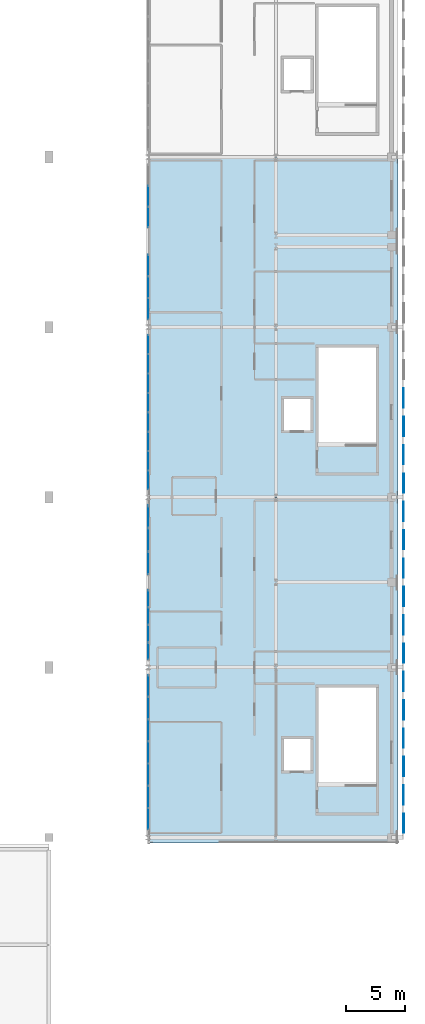
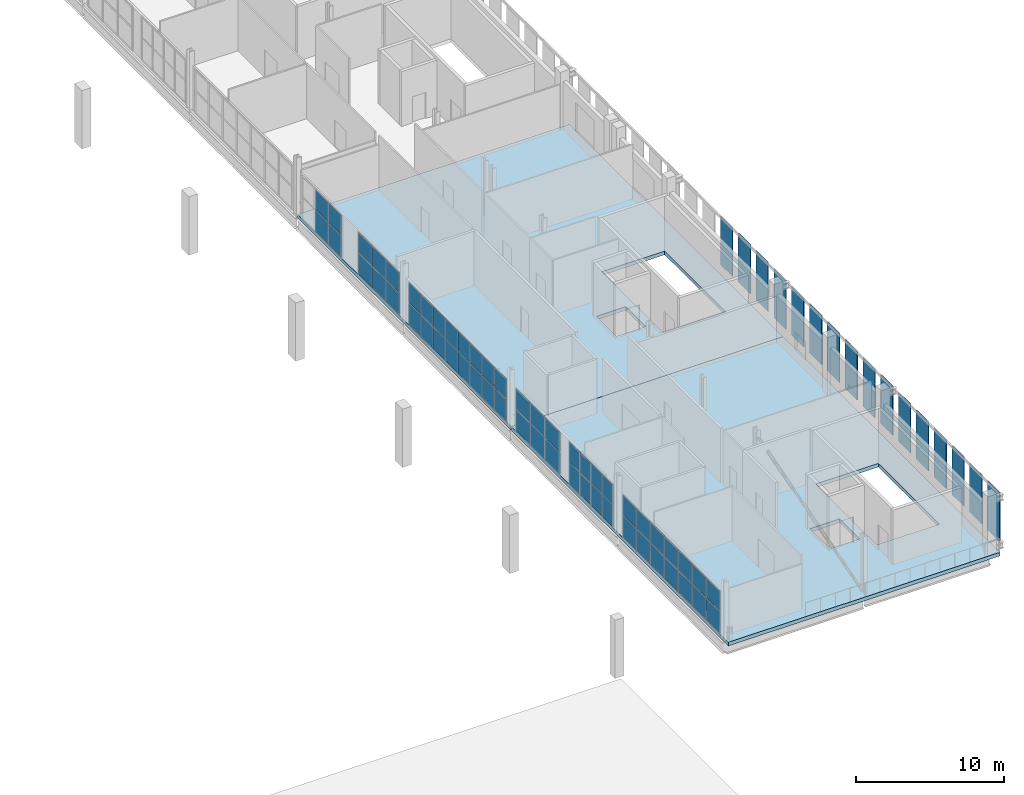
# One storey, part 28 of 51: 70 plates, 2 slabs, 6 elements without a shape of their own.
"""IFC4 building model written with IfcOpenShell, lengths in metres."""

from ifc_helpers import new_model, si_unit, direction, frame, origin, origin_2d, place, context, subcontext, project, spatial, polyline, rectangle, outline, extrude, material, layer, layer_set, type_object, element, aggregate, save


model = new_model("IFC4")

# Units and contexts
model_context = context("Model", 3, precision=1e-05, world=origin(), true_north=direction((0.0, 1.0)))
body_context = subcontext(model_context, "Body", "Model", "MODEL_VIEW")
ifc_project = project(units=[si_unit("LENGTHUNIT", "METRE"), si_unit("AREAUNIT", "SQUARE_METRE"), si_unit("VOLUMEUNIT", "CUBIC_METRE"), si_unit("PLANEANGLEUNIT", "RADIAN"), si_unit("MASSUNIT", "GRAM", prefix="KILO")], contexts=[model_context])

# Site, building, storey
site_placement = place(None, origin())
site = spatial("IfcSite", under=ifc_project, at=site_placement, CompositionType="ELEMENT")
building_placement = place(site_placement, origin())
building = spatial("IfcBuilding", under=site, at=building_placement, Name="Koshinbarg Plaza Stadium", CompositionType="ELEMENT")
storey_placement = place(building_placement, frame((0.0, 0.0, 24.60009765625)))
storey = spatial("IfcBuildingStorey", under=building, at=storey_placement, Name="L05", CompositionType="ELEMENT", Elevation=24.60009765625)

# Curtain wall, plates
ifc_material_1 = material(Name="Thermally broken anodised aluminium and low-E double glazing", Category="aluminium")
curtain_wall_type_1 = type_object("IfcCurtainWallType", Name="CW-SYS-15", PredefinedType="NOTDEFINED", material=ifc_material_1)
curtain_wall_1_placement = place(storey_placement, origin())
curtain_wall_1 = element("IfcCurtainWall", 1, at=curtain_wall_1_placement, inside=storey, type_object=curtain_wall_type_1, Name="L05 unitised curtain wall CW-L05-142", PredefinedType="NOTDEFINED")
ifc_material_2 = material(Name="Solar-control low-E double glazing unit", Category="glass")
ifc_layer_1 = layer(ifc_material_2, 0.028076171875)
ifc_layer_set_1 = layer_set([ifc_layer_1], Name="Solar-control low-E double glazing unit")
plate_type_1 = type_object("IfcPlateType", Name="CW-PNL-28", PredefinedType="CURTAIN_PANEL", material=ifc_layer_set_1)
plate_1_placement = place(storey_placement, frame((197.800048828125, 41.280029296875, 0.06005859375), z_axis=(0.0, 0.0, 1.0), x_axis=(0.0, 1.0, 0.0)))
plate_1 = element("IfcPlate", 2, at=plate_1_placement, type_object=plate_type_1, Name="CW15 panel 1.1", PredefinedType="CURTAIN_PANEL", context=body_context, shape_type="SweptSolid", body=[
    extrude(rectangle(XDim=1.39990234375, YDim=0.028076171875, at=origin_2d()), origin(), (0.0, 0.0, 1.0), 1.771484375),
])
plate_2_placement = place(storey_placement, frame((197.800048828125, 41.280029296875, 1.8916015625), z_axis=(0.0, 0.0, 1.0), x_axis=(0.0, 1.0, 0.0)))
plate_2 = element("IfcPlate", 3, at=plate_2_placement, type_object=plate_type_1, Name="CW15 panel 1.2", PredefinedType="CURTAIN_PANEL", context=body_context, shape_type="SweptSolid", body=[
    extrude(rectangle(XDim=1.39990234375, YDim=0.028076171875, at=origin_2d()), origin(), (0.0, 0.0, 1.0), 1.62841796875),
])
plate_3_placement = place(storey_placement, frame((197.800048828125, 42.7548828125, 0.06005859375), z_axis=(0.0, 0.0, 1.0), x_axis=(0.0, 1.0, 0.0)))
plate_3 = element("IfcPlate", 4, at=plate_3_placement, type_object=plate_type_1, Name="CW15 panel 2.1", PredefinedType="CURTAIN_PANEL", context=body_context, shape_type="SweptSolid", body=[
    extrude(rectangle(XDim=1.429931640625, YDim=0.028076171875, at=origin_2d()), origin(), (0.0, 0.0, 1.0), 1.771484375),
])
plate_4_placement = place(storey_placement, frame((197.800048828125, 42.7548828125, 1.8916015625), z_axis=(0.0, 0.0, 1.0), x_axis=(0.0, 1.0, 0.0)))
plate_4 = element("IfcPlate", 5, at=plate_4_placement, type_object=plate_type_1, Name="CW15 panel 2.2", PredefinedType="CURTAIN_PANEL", context=body_context, shape_type="SweptSolid", body=[
    extrude(rectangle(XDim=1.429931640625, YDim=0.028076171875, at=origin_2d()), origin(), (0.0, 0.0, 1.0), 1.62841796875),
])
plate_5_placement = place(storey_placement, frame((197.800048828125, 44.2451171875, 0.06005859375), z_axis=(0.0, 0.0, 1.0), x_axis=(0.0, 1.0, 0.0)))
plate_5 = element("IfcPlate", 6, at=plate_5_placement, type_object=plate_type_1, Name="CW15 panel 3.1", PredefinedType="CURTAIN_PANEL", context=body_context, shape_type="SweptSolid", body=[
    extrude(rectangle(XDim=1.429931640625, YDim=0.028076171875, at=origin_2d()), origin(), (0.0, 0.0, 1.0), 1.771484375),
])
plate_6_placement = place(storey_placement, frame((197.800048828125, 44.2451171875, 1.8916015625), z_axis=(0.0, 0.0, 1.0), x_axis=(0.0, 1.0, 0.0)))
plate_6 = element("IfcPlate", 7, at=plate_6_placement, type_object=plate_type_1, Name="CW15 panel 3.2", PredefinedType="CURTAIN_PANEL", context=body_context, shape_type="SweptSolid", body=[
    extrude(rectangle(XDim=1.429931640625, YDim=0.028076171875, at=origin_2d()), origin(), (0.0, 0.0, 1.0), 1.62841796875),
])
plate_7_placement = place(storey_placement, frame((197.800048828125, 45.719970703125, 0.06005859375), z_axis=(0.0, 0.0, 1.0), x_axis=(0.0, 1.0, 0.0)))
plate_7 = element("IfcPlate", 8, at=plate_7_placement, type_object=plate_type_1, Name="CW15 panel 4.1", PredefinedType="CURTAIN_PANEL", context=body_context, shape_type="SweptSolid", body=[
    extrude(rectangle(XDim=1.39990234375, YDim=0.028076171875, at=origin_2d()), origin(), (0.0, 0.0, 1.0), 1.771484375),
])
plate_8_placement = place(storey_placement, frame((197.800048828125, 45.719970703125, 1.8916015625), z_axis=(0.0, 0.0, 1.0), x_axis=(0.0, 1.0, 0.0)))
plate_8 = element("IfcPlate", 9, at=plate_8_placement, type_object=plate_type_1, Name="CW15 panel 4.2", PredefinedType="CURTAIN_PANEL", context=body_context, shape_type="SweptSolid", body=[
    extrude(rectangle(XDim=1.39990234375, YDim=0.028076171875, at=origin_2d()), origin(), (0.0, 0.0, 1.0), 1.62841796875),
])
aggregate(curtain_wall_1, [plate_1, plate_2, plate_3, plate_4, plate_5, plate_6, plate_7, plate_8])

curtain_wall_type_2 = type_object("IfcCurtainWallType", Name="CW-SYS-01", PredefinedType="NOTDEFINED", material=ifc_material_1)
curtain_wall_2_placement = place(storey_placement, origin())
curtain_wall_2 = element("IfcCurtainWall", 10, at=curtain_wall_2_placement, inside=storey, type_object=curtain_wall_type_2, Name="L05 unitised curtain wall CW-L05-144", PredefinedType="NOTDEFINED")
plate_9_placement = place(storey_placement, frame((197.800048828125, 55.757568359375, 0.06005859375), z_axis=(0.0, 0.0, 1.0), x_axis=(0.0, 1.0, 0.0)))
plate_9 = element("IfcPlate", 11, at=plate_9_placement, type_object=plate_type_1, Name="CW01 panel 1.1", PredefinedType="CURTAIN_PANEL", context=body_context, shape_type="SweptSolid", body=[
    extrude(rectangle(XDim=1.554931640625, YDim=0.028076171875, at=origin_2d()), origin(), (0.0, 0.0, 1.0), 1.771484375),
])
plate_10_placement = place(storey_placement, frame((197.800048828125, 55.757568359375, 1.8916015625), z_axis=(0.0, 0.0, 1.0), x_axis=(0.0, 1.0, 0.0)))
plate_10 = element("IfcPlate", 12, at=plate_10_placement, type_object=plate_type_1, Name="CW01 panel 1.2", PredefinedType="CURTAIN_PANEL", context=body_context, shape_type="SweptSolid", body=[
    extrude(rectangle(XDim=1.554931640625, YDim=0.028076171875, at=origin_2d()), origin(), (0.0, 0.0, 1.0), 1.62841796875),
])
plate_11_placement = place(storey_placement, frame((197.800048828125, 57.387451171875, 0.06005859375), z_axis=(0.0, 0.0, 1.0), x_axis=(0.0, 1.0, 0.0)))
plate_11 = element("IfcPlate", 13, at=plate_11_placement, type_object=plate_type_1, Name="CW01 panel 2.1", PredefinedType="CURTAIN_PANEL", context=body_context, shape_type="SweptSolid", body=[
    extrude(rectangle(XDim=1.5849609375, YDim=0.028076171875, at=origin_2d()), origin(), (0.0, 0.0, 1.0), 1.771484375),
])
plate_12_placement = place(storey_placement, frame((197.800048828125, 57.387451171875, 1.8916015625), z_axis=(0.0, 0.0, 1.0), x_axis=(0.0, 1.0, 0.0)))
plate_12 = element("IfcPlate", 14, at=plate_12_placement, type_object=plate_type_1, Name="CW01 panel 2.2", PredefinedType="CURTAIN_PANEL", context=body_context, shape_type="SweptSolid", body=[
    extrude(rectangle(XDim=1.5849609375, YDim=0.028076171875, at=origin_2d()), origin(), (0.0, 0.0, 1.0), 1.62841796875),
])
plate_13_placement = place(storey_placement, frame((197.800048828125, 59.032470703125, 0.06005859375), z_axis=(0.0, 0.0, 1.0), x_axis=(0.0, 1.0, 0.0)))
plate_13 = element("IfcPlate", 15, at=plate_13_placement, type_object=plate_type_1, Name="CW01 panel 3.1", PredefinedType="CURTAIN_PANEL", context=body_context, shape_type="SweptSolid", body=[
    extrude(rectangle(XDim=1.5849609375, YDim=0.028076171875, at=origin_2d()), origin(), (0.0, 0.0, 1.0), 1.771484375),
])
plate_14_placement = place(storey_placement, frame((197.800048828125, 59.032470703125, 1.8916015625), z_axis=(0.0, 0.0, 1.0), x_axis=(0.0, 1.0, 0.0)))
plate_14 = element("IfcPlate", 16, at=plate_14_placement, type_object=plate_type_1, Name="CW01 panel 3.2", PredefinedType="CURTAIN_PANEL", context=body_context, shape_type="SweptSolid", body=[
    extrude(rectangle(XDim=1.5849609375, YDim=0.028076171875, at=origin_2d()), origin(), (0.0, 0.0, 1.0), 1.62841796875),
])
plate_15_placement = place(storey_placement, frame((197.800048828125, 60.677490234375, 0.06005859375), z_axis=(0.0, 0.0, 1.0), x_axis=(0.0, 1.0, 0.0)))
plate_15 = element("IfcPlate", 17, at=plate_15_placement, type_object=plate_type_1, Name="CW01 panel 4.1", PredefinedType="CURTAIN_PANEL", context=body_context, shape_type="SweptSolid", body=[
    extrude(rectangle(XDim=1.5849609375, YDim=0.028076171875, at=origin_2d()), origin(), (0.0, 0.0, 1.0), 1.771484375),
])
plate_16_placement = place(storey_placement, frame((197.800048828125, 60.677490234375, 1.8916015625), z_axis=(0.0, 0.0, 1.0), x_axis=(0.0, 1.0, 0.0)))
plate_16 = element("IfcPlate", 18, at=plate_16_placement, type_object=plate_type_1, Name="CW01 panel 4.2", PredefinedType="CURTAIN_PANEL", context=body_context, shape_type="SweptSolid", body=[
    extrude(rectangle(XDim=1.5849609375, YDim=0.028076171875, at=origin_2d()), origin(), (0.0, 0.0, 1.0), 1.62841796875),
])
plate_17_placement = place(storey_placement, frame((197.800048828125, 62.322509765625, 0.06005859375), z_axis=(0.0, 0.0, 1.0), x_axis=(0.0, 1.0, 0.0)))
plate_17 = element("IfcPlate", 19, at=plate_17_placement, type_object=plate_type_1, Name="CW01 panel 5.1", PredefinedType="CURTAIN_PANEL", context=body_context, shape_type="SweptSolid", body=[
    extrude(rectangle(XDim=1.5849609375, YDim=0.028076171875, at=origin_2d()), origin(), (0.0, 0.0, 1.0), 1.771484375),
])
plate_18_placement = place(storey_placement, frame((197.800048828125, 62.322509765625, 1.8916015625), z_axis=(0.0, 0.0, 1.0), x_axis=(0.0, 1.0, 0.0)))
plate_18 = element("IfcPlate", 20, at=plate_18_placement, type_object=plate_type_1, Name="CW01 panel 5.2", PredefinedType="CURTAIN_PANEL", context=body_context, shape_type="SweptSolid", body=[
    extrude(rectangle(XDim=1.5849609375, YDim=0.028076171875, at=origin_2d()), origin(), (0.0, 0.0, 1.0), 1.62841796875),
])
plate_19_placement = place(storey_placement, frame((197.800048828125, 63.967529296875, 0.06005859375), z_axis=(0.0, 0.0, 1.0), x_axis=(0.0, 1.0, 0.0)))
plate_19 = element("IfcPlate", 21, at=plate_19_placement, type_object=plate_type_1, Name="CW01 panel 6.1", PredefinedType="CURTAIN_PANEL", context=body_context, shape_type="SweptSolid", body=[
    extrude(rectangle(XDim=1.5849609375, YDim=0.028076171875, at=origin_2d()), origin(), (0.0, 0.0, 1.0), 1.771484375),
])
plate_20_placement = place(storey_placement, frame((197.800048828125, 63.967529296875, 1.8916015625), z_axis=(0.0, 0.0, 1.0), x_axis=(0.0, 1.0, 0.0)))
plate_20 = element("IfcPlate", 22, at=plate_20_placement, type_object=plate_type_1, Name="CW01 panel 6.2", PredefinedType="CURTAIN_PANEL", context=body_context, shape_type="SweptSolid", body=[
    extrude(rectangle(XDim=1.5849609375, YDim=0.028076171875, at=origin_2d()), origin(), (0.0, 0.0, 1.0), 1.62841796875),
])
plate_21_placement = place(storey_placement, frame((197.800048828125, 65.612548828125, 0.06005859375), z_axis=(0.0, 0.0, 1.0), x_axis=(0.0, 1.0, 0.0)))
plate_21 = element("IfcPlate", 23, at=plate_21_placement, type_object=plate_type_1, Name="CW01 panel 7.1", PredefinedType="CURTAIN_PANEL", context=body_context, shape_type="SweptSolid", body=[
    extrude(rectangle(XDim=1.5849609375, YDim=0.028076171875, at=origin_2d()), origin(), (0.0, 0.0, 1.0), 1.771484375),
])
plate_22_placement = place(storey_placement, frame((197.800048828125, 65.612548828125, 1.8916015625), z_axis=(0.0, 0.0, 1.0), x_axis=(0.0, 1.0, 0.0)))
plate_22 = element("IfcPlate", 24, at=plate_22_placement, type_object=plate_type_1, Name="CW01 panel 7.2", PredefinedType="CURTAIN_PANEL", context=body_context, shape_type="SweptSolid", body=[
    extrude(rectangle(XDim=1.5849609375, YDim=0.028076171875, at=origin_2d()), origin(), (0.0, 0.0, 1.0), 1.62841796875),
])
plate_23_placement = place(storey_placement, frame((197.800048828125, 67.242431640625, 0.06005859375), z_axis=(0.0, 0.0, 1.0), x_axis=(0.0, 1.0, 0.0)))
plate_23 = element("IfcPlate", 25, at=plate_23_placement, type_object=plate_type_1, Name="CW01 panel 8.1", PredefinedType="CURTAIN_PANEL", context=body_context, shape_type="SweptSolid", body=[
    extrude(rectangle(XDim=1.554931640625, YDim=0.028076171875, at=origin_2d()), origin(), (0.0, 0.0, 1.0), 1.771484375),
])
plate_24_placement = place(storey_placement, frame((197.800048828125, 67.242431640625, 1.8916015625), z_axis=(0.0, 0.0, 1.0), x_axis=(0.0, 1.0, 0.0)))
plate_24 = element("IfcPlate", 26, at=plate_24_placement, type_object=plate_type_1, Name="CW01 panel 8.2", PredefinedType="CURTAIN_PANEL", context=body_context, shape_type="SweptSolid", body=[
    extrude(rectangle(XDim=1.554931640625, YDim=0.028076171875, at=origin_2d()), origin(), (0.0, 0.0, 1.0), 1.62841796875),
])
aggregate(curtain_wall_2, [plate_9, plate_10, plate_11, plate_12, plate_13, plate_14, plate_15, plate_16, plate_17, plate_18, plate_19, plate_20, plate_21, plate_22, plate_23, plate_24])

curtain_wall_type_3 = type_object("IfcCurtainWallType", Name="CW-SYS-03", PredefinedType="NOTDEFINED", material=ifc_material_1)
curtain_wall_3_placement = place(storey_placement, origin())
curtain_wall_3 = element("IfcCurtainWall", 27, at=curtain_wall_3_placement, inside=storey, type_object=curtain_wall_type_3, Name="L05 unitised curtain wall CW-L05-146", PredefinedType="NOTDEFINED")
plate_25_placement = place(storey_placement, frame((197.800048828125, 78.0283203125, 0.06005859375), z_axis=(0.0, 0.0, 1.0), x_axis=(0.0, 1.0, 0.0)))
plate_25 = element("IfcPlate", 28, at=plate_25_placement, type_object=plate_type_1, Name="CW03 panel 1.1", PredefinedType="CURTAIN_PANEL", context=body_context, shape_type="SweptSolid", body=[
    extrude(rectangle(XDim=1.69677734375, YDim=0.028076171875, at=origin_2d()), origin(), (0.0, 0.0, 1.0), 1.771484375),
])
plate_26_placement = place(storey_placement, frame((197.800048828125, 78.0283203125, 1.8916015625), z_axis=(0.0, 0.0, 1.0), x_axis=(0.0, 1.0, 0.0)))
plate_26 = element("IfcPlate", 29, at=plate_26_placement, type_object=plate_type_1, Name="CW03 panel 1.2", PredefinedType="CURTAIN_PANEL", context=body_context, shape_type="SweptSolid", body=[
    extrude(rectangle(XDim=1.69677734375, YDim=0.028076171875, at=origin_2d()), origin(), (0.0, 0.0, 1.0), 1.62841796875),
])
plate_27_placement = place(storey_placement, frame((197.800048828125, 79.800048828125, 0.06005859375), z_axis=(0.0, 0.0, 1.0), x_axis=(0.0, 1.0, 0.0)))
plate_27 = element("IfcPlate", 30, at=plate_27_placement, type_object=plate_type_1, Name="CW03 panel 2.1", PredefinedType="CURTAIN_PANEL", context=body_context, shape_type="SweptSolid", body=[
    extrude(rectangle(XDim=1.7265625, YDim=0.028076171875, at=origin_2d()), origin(), (0.0, 0.0, 1.0), 1.771484375),
])
plate_28_placement = place(storey_placement, frame((197.800048828125, 79.800048828125, 1.8916015625), z_axis=(0.0, 0.0, 1.0), x_axis=(0.0, 1.0, 0.0)))
plate_28 = element("IfcPlate", 31, at=plate_28_placement, type_object=plate_type_1, Name="CW03 panel 2.2", PredefinedType="CURTAIN_PANEL", context=body_context, shape_type="SweptSolid", body=[
    extrude(rectangle(XDim=1.7265625, YDim=0.028076171875, at=origin_2d()), origin(), (0.0, 0.0, 1.0), 1.62841796875),
])
aggregate(curtain_wall_3, [plate_25, plate_26, plate_27, plate_28])

curtain_wall_type_4 = type_object("IfcCurtainWallType", Name="CW-SYS-14", PredefinedType="NOTDEFINED", material=ifc_material_1)
curtain_wall_4_placement = place(storey_placement, origin())
curtain_wall_4 = element("IfcCurtainWall", 32, at=curtain_wall_4_placement, inside=storey, type_object=curtain_wall_type_4, Name="L05 unitised curtain wall CW-L05-141", PredefinedType="NOTDEFINED")
ifc_material_3 = material(Name="Acoustic solar-control double glazing unit", Category="glass")
ifc_layer_2 = layer(ifc_material_3, 0.031982421875)
ifc_layer_set_2 = layer_set([ifc_layer_2], Name="Acoustic solar-control double glazing unit")
plate_type_2 = type_object("IfcPlateType", Name="CW-PNL-32", PredefinedType="CURTAIN_PANEL", material=ifc_layer_set_2)
plate_29_placement = place(storey_placement, frame((197.800048828125, 27.074951171875, 0.06005859375), z_axis=(0.0, 0.0, 1.0), x_axis=(0.0, 1.0, 0.0)))
plate_29 = element("IfcPlate", 33, at=plate_29_placement, type_object=plate_type_2, Name="CW14 panel 1.1", PredefinedType="CURTAIN_PANEL", context=body_context, shape_type="SweptSolid", body=[
    extrude(rectangle(XDim=1.7900390625, YDim=0.031982421875, at=origin_2d()), origin(), (0.0, 0.0, 1.0), 1.771484375),
])
plate_30_placement = place(storey_placement, frame((197.800048828125, 27.074951171875, 1.8916015625), z_axis=(0.0, 0.0, 1.0), x_axis=(0.0, 1.0, 0.0)))
plate_30 = element("IfcPlate", 34, at=plate_30_placement, type_object=plate_type_2, Name="CW14 panel 1.2", PredefinedType="CURTAIN_PANEL", context=body_context, shape_type="SweptSolid", body=[
    extrude(rectangle(XDim=1.7900390625, YDim=0.031982421875, at=origin_2d()), origin(), (0.0, 0.0, 1.0), 1.62841796875),
])
plate_31_placement = place(storey_placement, frame((197.800048828125, 28.93994140625, 0.06005859375), z_axis=(0.0, 0.0, 1.0), x_axis=(0.0, 1.0, 0.0)))
plate_31 = element("IfcPlate", 35, at=plate_31_placement, type_object=plate_type_2, Name="CW14 panel 2.1", PredefinedType="CURTAIN_PANEL", context=body_context, shape_type="SweptSolid", body=[
    extrude(rectangle(XDim=1.820068359375, YDim=0.031982421875, at=origin_2d()), origin(), (0.0, 0.0, 1.0), 1.771484375),
])
plate_32_placement = place(storey_placement, frame((197.800048828125, 28.93994140625, 1.8916015625), z_axis=(0.0, 0.0, 1.0), x_axis=(0.0, 1.0, 0.0)))
plate_32 = element("IfcPlate", 36, at=plate_32_placement, type_object=plate_type_2, Name="CW14 panel 2.2", PredefinedType="CURTAIN_PANEL", context=body_context, shape_type="SweptSolid", body=[
    extrude(rectangle(XDim=1.820068359375, YDim=0.031982421875, at=origin_2d()), origin(), (0.0, 0.0, 1.0), 1.62841796875),
])
plate_33_placement = place(storey_placement, frame((197.800048828125, 30.820068359375, 0.06005859375), z_axis=(0.0, 0.0, 1.0), x_axis=(0.0, 1.0, 0.0)))
plate_33 = element("IfcPlate", 37, at=plate_33_placement, type_object=plate_type_2, Name="CW14 panel 3.1", PredefinedType="CURTAIN_PANEL", context=body_context, shape_type="SweptSolid", body=[
    extrude(rectangle(XDim=1.820068359375, YDim=0.031982421875, at=origin_2d()), origin(), (0.0, 0.0, 1.0), 1.771484375),
])
plate_34_placement = place(storey_placement, frame((197.800048828125, 30.820068359375, 1.8916015625), z_axis=(0.0, 0.0, 1.0), x_axis=(0.0, 1.0, 0.0)))
plate_34 = element("IfcPlate", 38, at=plate_34_placement, type_object=plate_type_2, Name="CW14 panel 3.2", PredefinedType="CURTAIN_PANEL", context=body_context, shape_type="SweptSolid", body=[
    extrude(rectangle(XDim=1.820068359375, YDim=0.031982421875, at=origin_2d()), origin(), (0.0, 0.0, 1.0), 1.62841796875),
])
plate_35_placement = place(storey_placement, frame((197.800048828125, 32.699951171875, 0.06005859375), z_axis=(0.0, 0.0, 1.0), x_axis=(0.0, 1.0, 0.0)))
plate_35 = element("IfcPlate", 39, at=plate_35_placement, type_object=plate_type_2, Name="CW14 panel 4.1", PredefinedType="CURTAIN_PANEL", context=body_context, shape_type="SweptSolid", body=[
    extrude(rectangle(XDim=1.820068359375, YDim=0.031982421875, at=origin_2d()), origin(), (0.0, 0.0, 1.0), 1.771484375),
])
plate_36_placement = place(storey_placement, frame((197.800048828125, 32.699951171875, 1.8916015625), z_axis=(0.0, 0.0, 1.0), x_axis=(0.0, 1.0, 0.0)))
plate_36 = element("IfcPlate", 40, at=plate_36_placement, type_object=plate_type_2, Name="CW14 panel 4.2", PredefinedType="CURTAIN_PANEL", context=body_context, shape_type="SweptSolid", body=[
    extrude(rectangle(XDim=1.820068359375, YDim=0.031982421875, at=origin_2d()), origin(), (0.0, 0.0, 1.0), 1.62841796875),
])
plate_37_placement = place(storey_placement, frame((197.800048828125, 34.580078125, 0.06005859375), z_axis=(0.0, 0.0, 1.0), x_axis=(0.0, 1.0, 0.0)))
plate_37 = element("IfcPlate", 41, at=plate_37_placement, type_object=plate_type_2, Name="CW14 panel 5.1", PredefinedType="CURTAIN_PANEL", context=body_context, shape_type="SweptSolid", body=[
    extrude(rectangle(XDim=1.820068359375, YDim=0.031982421875, at=origin_2d()), origin(), (0.0, 0.0, 1.0), 1.771484375),
])
plate_38_placement = place(storey_placement, frame((197.800048828125, 34.580078125, 1.8916015625), z_axis=(0.0, 0.0, 1.0), x_axis=(0.0, 1.0, 0.0)))
plate_38 = element("IfcPlate", 42, at=plate_38_placement, type_object=plate_type_2, Name="CW14 panel 5.2", PredefinedType="CURTAIN_PANEL", context=body_context, shape_type="SweptSolid", body=[
    extrude(rectangle(XDim=1.820068359375, YDim=0.031982421875, at=origin_2d()), origin(), (0.0, 0.0, 1.0), 1.62841796875),
])
plate_39_placement = place(storey_placement, frame((197.800048828125, 36.4599609375, 0.06005859375), z_axis=(0.0, 0.0, 1.0), x_axis=(0.0, 1.0, 0.0)))
plate_39 = element("IfcPlate", 43, at=plate_39_placement, type_object=plate_type_2, Name="CW14 panel 6.1", PredefinedType="CURTAIN_PANEL", context=body_context, shape_type="SweptSolid", body=[
    extrude(rectangle(XDim=1.820068359375, YDim=0.031982421875, at=origin_2d()), origin(), (0.0, 0.0, 1.0), 1.771484375),
])
plate_40_placement = place(storey_placement, frame((197.800048828125, 36.4599609375, 1.8916015625), z_axis=(0.0, 0.0, 1.0), x_axis=(0.0, 1.0, 0.0)))
plate_40 = element("IfcPlate", 44, at=plate_40_placement, type_object=plate_type_2, Name="CW14 panel 6.2", PredefinedType="CURTAIN_PANEL", context=body_context, shape_type="SweptSolid", body=[
    extrude(rectangle(XDim=1.820068359375, YDim=0.031982421875, at=origin_2d()), origin(), (0.0, 0.0, 1.0), 1.62841796875),
])
plate_41_placement = place(storey_placement, frame((197.800048828125, 38.324951171875, 0.06005859375), z_axis=(0.0, 0.0, 1.0), x_axis=(0.0, 1.0, 0.0)))
plate_41 = element("IfcPlate", 45, at=plate_41_placement, type_object=plate_type_2, Name="CW14 panel 7.1", PredefinedType="CURTAIN_PANEL", context=body_context, shape_type="SweptSolid", body=[
    extrude(rectangle(XDim=1.7900390625, YDim=0.031982421875, at=origin_2d()), origin(), (0.0, 0.0, 1.0), 1.771484375),
])
plate_42_placement = place(storey_placement, frame((197.800048828125, 38.324951171875, 1.8916015625), z_axis=(0.0, 0.0, 1.0), x_axis=(0.0, 1.0, 0.0)))
plate_42 = element("IfcPlate", 46, at=plate_42_placement, type_object=plate_type_2, Name="CW14 panel 7.2", PredefinedType="CURTAIN_PANEL", context=body_context, shape_type="SweptSolid", body=[
    extrude(rectangle(XDim=1.7900390625, YDim=0.031982421875, at=origin_2d()), origin(), (0.0, 0.0, 1.0), 1.62841796875),
])
aggregate(curtain_wall_4, [plate_29, plate_30, plate_31, plate_32, plate_33, plate_34, plate_35, plate_36, plate_37, plate_38, plate_39, plate_40, plate_41, plate_42])

curtain_wall_type_5 = type_object("IfcCurtainWallType", Name="CW-SYS-16", PredefinedType="NOTDEFINED", material=ifc_material_1)
curtain_wall_5_placement = place(storey_placement, origin())
curtain_wall_5 = element("IfcCurtainWall", 47, at=curtain_wall_5_placement, inside=storey, type_object=curtain_wall_type_5, Name="L05 unitised curtain wall CW-L05-143", PredefinedType="NOTDEFINED")
plate_43_placement = place(storey_placement, frame((197.800048828125, 48.728271484375, 0.06005859375), z_axis=(0.0, 0.0, 1.0), x_axis=(0.0, 1.0, 0.0)))
plate_43 = element("IfcPlate", 48, at=plate_43_placement, type_object=plate_type_2, Name="CW16 panel 1.1", PredefinedType="CURTAIN_PANEL", context=body_context, shape_type="SweptSolid", body=[
    extrude(rectangle(XDim=1.896728515625, YDim=0.031982421875, at=origin_2d()), origin(), (0.0, 0.0, 1.0), 1.771484375),
])
plate_44_placement = place(storey_placement, frame((197.800048828125, 48.728271484375, 1.8916015625), z_axis=(0.0, 0.0, 1.0), x_axis=(0.0, 1.0, 0.0)))
plate_44 = element("IfcPlate", 49, at=plate_44_placement, type_object=plate_type_2, Name="CW16 panel 1.2", PredefinedType="CURTAIN_PANEL", context=body_context, shape_type="SweptSolid", body=[
    extrude(rectangle(XDim=1.896728515625, YDim=0.031982421875, at=origin_2d()), origin(), (0.0, 0.0, 1.0), 1.62841796875),
])
plate_45_placement = place(storey_placement, frame((197.800048828125, 50.699951171875, 0.06005859375), z_axis=(0.0, 0.0, 1.0), x_axis=(0.0, 1.0, 0.0)))
plate_45 = element("IfcPlate", 50, at=plate_45_placement, type_object=plate_type_2, Name="CW16 panel 2.1", PredefinedType="CURTAIN_PANEL", context=body_context, shape_type="SweptSolid", body=[
    extrude(rectangle(XDim=1.9267578125, YDim=0.031982421875, at=origin_2d()), origin(), (0.0, 0.0, 1.0), 1.771484375),
])
plate_46_placement = place(storey_placement, frame((197.800048828125, 50.699951171875, 1.8916015625), z_axis=(0.0, 0.0, 1.0), x_axis=(0.0, 1.0, 0.0)))
plate_46 = element("IfcPlate", 51, at=plate_46_placement, type_object=plate_type_2, Name="CW16 panel 2.2", PredefinedType="CURTAIN_PANEL", context=body_context, shape_type="SweptSolid", body=[
    extrude(rectangle(XDim=1.9267578125, YDim=0.031982421875, at=origin_2d()), origin(), (0.0, 0.0, 1.0), 1.62841796875),
])
plate_47_placement = place(storey_placement, frame((197.800048828125, 52.671630859375, 0.06005859375), z_axis=(0.0, 0.0, 1.0), x_axis=(0.0, 1.0, 0.0)))
plate_47 = element("IfcPlate", 52, at=plate_47_placement, type_object=plate_type_2, Name="CW16 panel 3.1", PredefinedType="CURTAIN_PANEL", context=body_context, shape_type="SweptSolid", body=[
    extrude(rectangle(XDim=1.896728515625, YDim=0.031982421875, at=origin_2d()), origin(), (0.0, 0.0, 1.0), 1.771484375),
])
plate_48_placement = place(storey_placement, frame((197.800048828125, 52.671630859375, 1.8916015625), z_axis=(0.0, 0.0, 1.0), x_axis=(0.0, 1.0, 0.0)))
plate_48 = element("IfcPlate", 53, at=plate_48_placement, type_object=plate_type_2, Name="CW16 panel 3.2", PredefinedType="CURTAIN_PANEL", context=body_context, shape_type="SweptSolid", body=[
    extrude(rectangle(XDim=1.896728515625, YDim=0.031982421875, at=origin_2d()), origin(), (0.0, 0.0, 1.0), 1.62841796875),
])
aggregate(curtain_wall_5, [plate_43, plate_44, plate_45, plate_46, plate_47, plate_48])

curtain_wall_type_6 = type_object("IfcCurtainWallType", Name="CW-SYS-02", PredefinedType="NOTDEFINED", material=ifc_material_1)
curtain_wall_6_placement = place(storey_placement, origin())
curtain_wall_6 = element("IfcCurtainWall", 54, at=curtain_wall_6_placement, inside=storey, type_object=curtain_wall_type_6, Name="L05 unitised curtain wall CW-L05-145", PredefinedType="NOTDEFINED")
plate_49_placement = place(storey_placement, frame((197.800048828125, 70.26171875, 0.06005859375), z_axis=(0.0, 0.0, 1.0), x_axis=(0.0, 1.0, 0.0)))
plate_49 = element("IfcPlate", 55, at=plate_49_placement, type_object=plate_type_2, Name="CW02 panel 1.1", PredefinedType="CURTAIN_PANEL", context=body_context, shape_type="SweptSolid", body=[
    extrude(rectangle(XDim=1.763427734375, YDim=0.031982421875, at=origin_2d()), origin(), (0.0, 0.0, 1.0), 1.771484375),
])
plate_50_placement = place(storey_placement, frame((197.800048828125, 70.26171875, 1.8916015625), z_axis=(0.0, 0.0, 1.0), x_axis=(0.0, 1.0, 0.0)))
plate_50 = element("IfcPlate", 56, at=plate_50_placement, type_object=plate_type_2, Name="CW02 panel 1.2", PredefinedType="CURTAIN_PANEL", context=body_context, shape_type="SweptSolid", body=[
    extrude(rectangle(XDim=1.763427734375, YDim=0.031982421875, at=origin_2d()), origin(), (0.0, 0.0, 1.0), 1.62841796875),
])
plate_51_placement = place(storey_placement, frame((197.800048828125, 72.10009765625, 0.06005859375), z_axis=(0.0, 0.0, 1.0), x_axis=(0.0, 1.0, 0.0)))
plate_51 = element("IfcPlate", 57, at=plate_51_placement, type_object=plate_type_2, Name="CW02 panel 2.1", PredefinedType="CURTAIN_PANEL", context=body_context, shape_type="SweptSolid", body=[
    extrude(rectangle(XDim=1.793212890625, YDim=0.031982421875, at=origin_2d()), origin(), (0.0, 0.0, 1.0), 1.771484375),
])
plate_52_placement = place(storey_placement, frame((197.800048828125, 72.10009765625, 1.8916015625), z_axis=(0.0, 0.0, 1.0), x_axis=(0.0, 1.0, 0.0)))
plate_52 = element("IfcPlate", 58, at=plate_52_placement, type_object=plate_type_2, Name="CW02 panel 2.2", PredefinedType="CURTAIN_PANEL", context=body_context, shape_type="SweptSolid", body=[
    extrude(rectangle(XDim=1.793212890625, YDim=0.031982421875, at=origin_2d()), origin(), (0.0, 0.0, 1.0), 1.62841796875),
])
plate_53_placement = place(storey_placement, frame((197.800048828125, 73.938232421875, 0.06005859375), z_axis=(0.0, 0.0, 1.0), x_axis=(0.0, 1.0, 0.0)))
plate_53 = element("IfcPlate", 59, at=plate_53_placement, type_object=plate_type_2, Name="CW02 panel 3.1", PredefinedType="CURTAIN_PANEL", context=body_context, shape_type="SweptSolid", body=[
    extrude(rectangle(XDim=1.763427734375, YDim=0.031982421875, at=origin_2d()), origin(), (0.0, 0.0, 1.0), 1.771484375),
])
plate_54_placement = place(storey_placement, frame((197.800048828125, 73.938232421875, 1.8916015625), z_axis=(0.0, 0.0, 1.0), x_axis=(0.0, 1.0, 0.0)))
plate_54 = element("IfcPlate", 60, at=plate_54_placement, type_object=plate_type_2, Name="CW02 panel 3.2", PredefinedType="CURTAIN_PANEL", context=body_context, shape_type="SweptSolid", body=[
    extrude(rectangle(XDim=1.763427734375, YDim=0.031982421875, at=origin_2d()), origin(), (0.0, 0.0, 1.0), 1.62841796875),
])
aggregate(curtain_wall_6, [plate_49, plate_50, plate_51, plate_52, plate_53, plate_54])

# Plates
ifc_material_4 = material(Name="Off-white mineral-coated perforated aluminium screen panel", Category="aluminium")
ifc_layer_3 = layer(ifc_material_4, 0.050048828125)
ifc_layer_set_3 = layer_set([ifc_layer_3], Name="Off-white mineral-coated perforated aluminium screen panel")
plate_type_3 = type_object("IfcPlateType", Name="PLT-SCR-50", PredefinedType="USERDEFINED", material=ifc_layer_set_3)
for number, where, z_axis, x_axis, name in (
    (61, (219.419921875, 29.10009765625, 0.19970703125), (0.0, 0.0, 1.0), (1.0, 0.0, 0.0), "L05 off-white leaf-pierced outer screen panel 254"),
    (62, (219.419921875, 33.89990234375, 0.19970703125), (0.0, 0.0, 1.0), (1.0, 0.0, 0.0), "L05 off-white leaf-pierced outer screen panel 256"),
    (63, (219.419921875, 38.699951171875, 0.19970703125), (0.0, 0.0, 1.0), (1.0, 0.0, 0.0), "L05 off-white leaf-pierced outer screen panel 258"),
    (64, (219.419921875, 43.5, 0.19970703125), (0.0, 0.0, 1.0), (1.0, 0.0, 0.0), "L05 off-white leaf-pierced outer screen panel 260"),
    (65, (219.419921875, 48.300048828125, 0.19970703125), (0.0, 0.0, 1.0), (1.0, 0.0, 0.0), "L05 off-white leaf-pierced outer screen panel 262"),
    (66, (219.419921875, 53.10009765625, 0.19970703125), (0.0, 0.0, 1.0), (1.0, 0.0, 0.0), "L05 off-white leaf-pierced outer screen panel 264"),
    (67, (219.419921875, 57.89990234375, 0.19970703125), (0.0, 0.0, 1.0), (1.0, 0.0, 0.0), "L05 off-white leaf-pierced outer screen panel 266"),
    (68, (219.419921875, 62.699951171875, 0.19970703125), (0.0, 0.0, 1.0), (1.0, 0.0, 0.0), "L05 off-white leaf-pierced outer screen panel 268"),
):
    element("IfcPlate", number, at=place(storey_placement, frame(where, z_axis=z_axis, x_axis=x_axis)), inside=storey, type_object=plate_type_3, Name=name, ObjectType="SCREEN PANEL", PredefinedType="USERDEFINED", context=body_context, shape_type="SweptSolid", body=[
        extrude(rectangle(XDim=0.050048828125, YDim=1.632080078125, at=origin_2d()), origin(), (0.0, 0.0, 1.0), 4.030029296875),
    ])
ifc_material_5 = material(Name="Off-white mineral-coated leaf-aperture GRC screen panel")
ifc_layer_4 = layer(ifc_material_5, 0.06005859375)
ifc_layer_set_4 = layer_set([ifc_layer_4], Name="Off-white mineral-coated leaf-aperture GRC screen panel")
plate_type_4 = type_object("IfcPlateType", Name="PLT-SCR-60", PredefinedType="USERDEFINED", material=ifc_layer_set_4)
for number, where, z_axis, x_axis, name in (
    (69, (219.425048828125, 26.699951171875, 0.19970703125), (0.0, 0.0, 1.0), (1.0, 0.0, 0.0), "L05 off-white leaf-pierced outer screen panel 253"),
    (70, (219.425048828125, 31.5, 0.19970703125), (0.0, 0.0, 1.0), (1.0, 0.0, 0.0), "L05 off-white leaf-pierced outer screen panel 255"),
    (71, (219.425048828125, 36.300048828125, 0.19970703125), (0.0, 0.0, 1.0), (1.0, 0.0, 0.0), "L05 off-white leaf-pierced outer screen panel 257"),
    (72, (219.425048828125, 41.10009765625, 0.19970703125), (0.0, 0.0, 1.0), (1.0, 0.0, 0.0), "L05 off-white leaf-pierced outer screen panel 259"),
    (73, (219.425048828125, 45.89990234375, 0.19970703125), (0.0, 0.0, 1.0), (1.0, 0.0, 0.0), "L05 off-white leaf-pierced outer screen panel 261"),
    (74, (219.425048828125, 50.699951171875, 0.19970703125), (0.0, 0.0, 1.0), (1.0, 0.0, 0.0), "L05 off-white leaf-pierced outer screen panel 263"),
    (75, (219.425048828125, 55.5, 0.19970703125), (0.0, 0.0, 1.0), (1.0, 0.0, 0.0), "L05 off-white leaf-pierced outer screen panel 265"),
    (76, (219.425048828125, 60.300048828125, 0.19970703125), (0.0, 0.0, 1.0), (1.0, 0.0, 0.0), "L05 off-white leaf-pierced outer screen panel 267"),
):
    element("IfcPlate", number, at=place(storey_placement, frame(where, z_axis=z_axis, x_axis=x_axis)), inside=storey, type_object=plate_type_4, Name=name, ObjectType="SCREEN PANEL", PredefinedType="USERDEFINED", context=body_context, shape_type="SweptSolid", body=[
        extrude(rectangle(XDim=0.06005859375, YDim=1.632080078125, at=origin_2d()), origin(), (0.0, 0.0, 1.0), 4.030029296875),
    ])

# Slabs
ifc_material_6 = material(Name="Concrete C35/45", Category="concrete")
ifc_layer_5 = layer(ifc_material_6, 0.300048828125)
ifc_layer_set_5 = layer_set([ifc_layer_5], Name="Concrete C35/45")
slab_type = type_object("IfcSlabType", Name="SL-FLR-300", PredefinedType="FLOOR", material=ifc_layer_set_5)
slab_1_placement = place(storey_placement, frame((0.0, 0.0, -0.300048828125)))
element("IfcSlab", 77, at=slab_1_placement, inside=storey, type_object=slab_type, Name="L05 V2 structural slab 5", PredefinedType="FLOOR", context=body_context, shape_type="SweptSolid", body=[
    extrude(outline(polyline([(197.800048828125, 25.044921875), (218.955078125, 25.044921875), (218.955078125, 54.300048828125), (197.800048828125, 54.300048828125), (197.800048828125, 25.044921875)]), holes=[polyline([(217.070068359375, 29.9599609375), (217.070068359375, 38.199951171875), (212.199951171875, 38.199951171875), (212.199951171875, 29.9599609375), (217.070068359375, 29.9599609375)]), polyline([(209.25, 31.14990234375), (211.550048828125, 31.14990234375), (211.550048828125, 33.85009765625), (209.25, 33.85009765625), (209.25, 31.14990234375)])]), origin(), (0.0, 0.0, 1.0), 0.300048828125),
])
slab_2_placement = place(storey_placement, frame((0.0, 0.0, -0.300048828125)))
element("IfcSlab", 78, at=slab_2_placement, inside=storey, type_object=slab_type, Name="L05 V2 structural slab 6", PredefinedType="FLOOR", context=body_context, shape_type="SweptSolid", body=[
    extrude(outline(polyline([(197.800048828125, 54.300048828125), (218.955078125, 54.300048828125), (218.955078125, 83.10009765625), (197.800048828125, 83.10009765625), (197.800048828125, 54.300048828125)]), holes=[polyline([(217.070068359375, 58.760009765625), (217.070068359375, 67.0), (212.199951171875, 67.0), (212.199951171875, 58.760009765625), (217.070068359375, 58.760009765625)]), polyline([(209.25, 59.949951171875), (211.550048828125, 59.949951171875), (211.550048828125, 62.64990234375), (209.25, 62.64990234375), (209.25, 59.949951171875)])]), origin(), (0.0, 0.0, 1.0), 0.300048828125),
])

save(model, "model.ifc")
